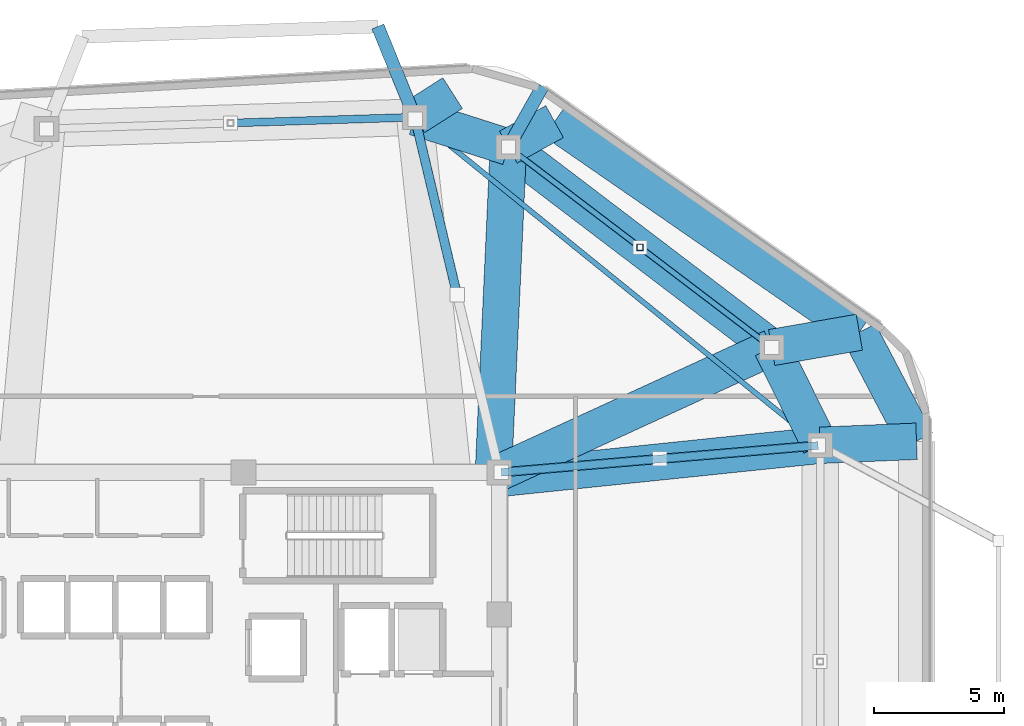
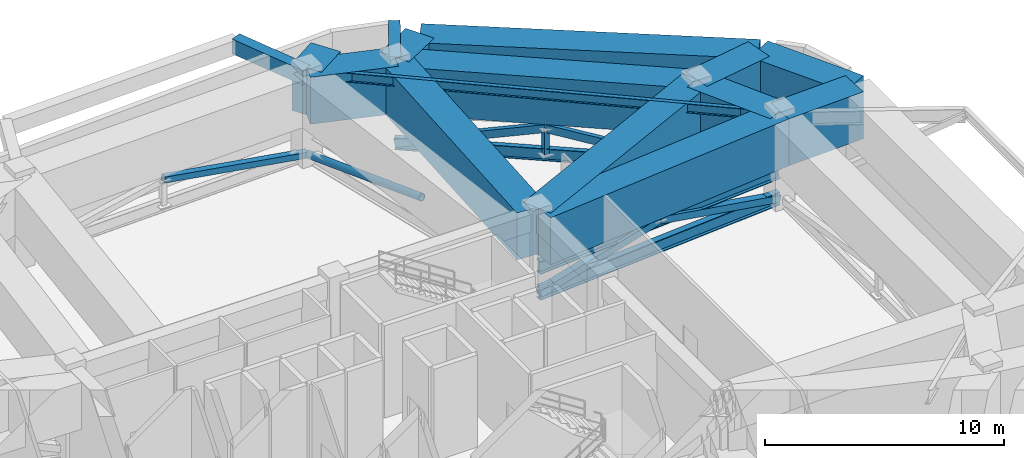
# One storey, part 6 of 13: 15 beams, 10 members.
"""IFC4 building model written with IfcOpenShell, lengths in metres."""

from ifc_helpers import new_model, si_unit, direction, frame, origin, origin_2d, place, context, subcontext, project, spatial, rectangle, hollow_rectangle, hollow_circle, i_section, extrude, material, material_profile, profile_set, type_object, element, save


model = new_model("IFC4")

# Units and contexts
model_context = context("Model", 3, precision=1e-05, world=origin(), true_north=direction((0.0, 1.0)))
body_context = subcontext(model_context, "Body", "Model", "MODEL_VIEW")
ifc_project = project(units=[si_unit("LENGTHUNIT", "METRE"), si_unit("AREAUNIT", "SQUARE_METRE"), si_unit("VOLUMEUNIT", "CUBIC_METRE"), si_unit("PLANEANGLEUNIT", "RADIAN"), si_unit("MASSUNIT", "GRAM", prefix="KILO")], contexts=[model_context])

# Site, building, storey
site_placement = place(None, origin())
site = spatial("IfcSite", under=ifc_project, at=site_placement, CompositionType="ELEMENT")
building_placement = place(site_placement, origin())
building = spatial("IfcBuilding", under=site, at=building_placement, Name="Zulverin Broadcast Headquarters", CompositionType="ELEMENT")
storey_placement = place(building_placement, frame((0.0, 0.0, 220.0)))
storey = spatial("IfcBuildingStorey", under=building, at=storey_placement, Name="L56", CompositionType="ELEMENT", Elevation=220.0)

# Beams
ifc_material_1 = material(Name="Concrete C40/50", Category="concrete")
ifc_material_profile_1 = material_profile(ifc_material_1, rectangle(XDim=0.5, YDim=0.75, at=origin_2d()), Name="Concrete C40/50", Category="concrete")
ifc_profile_set_1 = profile_set([ifc_material_profile_1], Name="Concrete C40/50")
beam_type_1 = type_object("IfcBeamType", Name="BM-RC-500x750", PredefinedType="BEAM", material=ifc_profile_set_1)
beam_1_placement = place(storey_placement, frame((48.62158203125, 45.574951171875, 4.3349609375), z_axis=(0.490737453707, 0.871307495394, 0.0), x_axis=(-0.871307495394, 0.490737453707, 0.0)))
element("IfcBeam", 1, at=beam_1_placement, inside=storey, type_object=beam_type_1, Name="L57 Plate Overhang Back-Spanned Beam OVR-08", PredefinedType="BEAM", context=body_context, shape_type="SweptSolid", body=[
    extrude(rectangle(XDim=0.5, YDim=0.75, at=origin_2d()), origin(), (0.0, 0.0, 1.0), 2.677001953125),
])
beam_2_placement = place(storey_placement, frame((45.027587890625, 46.7236328125, 4.3349609375), z_axis=(-0.37732368208, 0.926081442931, 0.0), x_axis=(-0.926081442931, -0.37732368208, 0.0)))
element("IfcBeam", 2, at=beam_2_placement, inside=storey, type_object=beam_type_1, Name="L57 Balcony Column-Framed Cantilever BAL_N-1", PredefinedType="BEAM", context=body_context, shape_type="SweptSolid", body=[
    extrude(rectangle(XDim=0.5, YDim=0.75, at=origin_2d()), origin(), (0.0, 0.0, 1.0), 3.762451171875),
])
ifc_material_2 = material(Name="Concrete C60/75", Category="concrete")
ifc_material_profile_2 = material_profile(ifc_material_2, rectangle(XDim=1.39990234375, YDim=2.39990234375, at=origin_2d()), Name="Concrete C60/75", Category="concrete")
ifc_profile_set_2 = profile_set([ifc_material_profile_2], Name="Concrete C60/75")
beam_type_2 = type_object("IfcBeamType", Name="BM-TG-1400x2400", PredefinedType="USERDEFINED", material=ifc_profile_set_2)
beam_3_placement = place(storey_placement, frame((60.60009765625, 34.12158203125, 3.510009765625), z_axis=(-0.444159471033, 0.895947746407, 0.0), x_axis=(-0.895947746407, -0.444159471033, 0.0)))
element("IfcBeam", 3, at=beam_3_placement, inside=storey, type_object=beam_type_2, Name="L56 Perimeter Transfer Ring Girder SP-06", ObjectType="TRANSFER GIRDER", PredefinedType="USERDEFINED", context=body_context, shape_type="SweptSolid", body=[
    extrude(rectangle(XDim=1.39990234375, YDim=2.39990234375, at=origin_2d()), origin(), (0.0, 0.0, 1.0), 4.1923828125),
])
beam_4_placement = place(storey_placement, frame((58.738037109375, 37.877685546875, 3.510009765625), z_axis=(-0.795830102505, 0.60551998146, 0.0), x_axis=(-0.60551998146, -0.795830102505, 0.0)))
element("IfcBeam", 4, at=beam_4_placement, inside=storey, type_object=beam_type_2, Name="L56 Perimeter Transfer Ring Girder SP-07", ObjectType="TRANSFER GIRDER", PredefinedType="USERDEFINED", context=body_context, shape_type="SweptSolid", body=[
    extrude(rectangle(XDim=1.39990234375, YDim=2.39990234375, at=origin_2d()), origin(), (0.0, 0.0, 1.0), 12.7119140625),
])
beam_5_placement = place(storey_placement, frame((48.62158203125, 45.574951171875, 3.510009765625), z_axis=(-0.952531523781, 0.304439971428, 0.0), x_axis=(-0.304439971428, -0.952531523781, 0.0)))
element("IfcBeam", 5, at=beam_5_placement, inside=storey, type_object=beam_type_2, Name="L56 Perimeter Transfer Ring Girder SP-08", ObjectType="TRANSFER GIRDER", PredefinedType="USERDEFINED", context=body_context, shape_type="SweptSolid", body=[
    extrude(rectangle(XDim=1.39990234375, YDim=2.39990234375, at=origin_2d()), origin(), (0.0, 0.0, 1.0), 3.773193359375),
])
beam_6_placement = place(storey_placement, frame((48.324951171875, 32.85009765625, 3.510009765625), z_axis=(0.994678169641, 0.103030766473, 0.0), x_axis=(-0.103030766473, 0.994678169641, 0.0)))
element("IfcBeam", 6, at=beam_6_placement, inside=storey, type_object=beam_type_2, Name="L57 Inner Transfer Back-Span Girder TGI-06", ObjectType="TRANSFER GIRDER", PredefinedType="USERDEFINED", context=body_context, shape_type="SweptSolid", body=[
    extrude(rectangle(XDim=1.39990234375, YDim=2.39990234375, at=origin_2d()), origin(), (0.0, 0.0, 1.0), 12.3408203125),
])
beam_7_placement = place(storey_placement, frame((60.60009765625, 34.12158203125, 3.510009765625), z_axis=(0.999134329491, 0.041600380199, 0.0), x_axis=(-0.041600380199, 0.999134329491, 0.0)))
element("IfcBeam", 7, at=beam_7_placement, inside=storey, type_object=beam_type_2, Name="L57 Column-Framed Step Cantilever Girder TGO-06", ObjectType="TRANSFER GIRDER", PredefinedType="USERDEFINED", context=body_context, shape_type="SweptSolid", body=[
    extrude(rectangle(XDim=1.39990234375, YDim=2.39990234375, at=origin_2d()), origin(), (0.0, 0.0, 1.0), 3.703125),
])
beam_8_placement = place(storey_placement, frame((64.300048828125, 34.275634765625, 3.510009765625), z_axis=(-0.464469748171, 0.885588986513, 0.0), x_axis=(-0.885588986513, -0.464469748171, 0.0)))
element("IfcBeam", 8, at=beam_8_placement, inside=storey, type_object=beam_type_2, Name="L57 Step Transfer Ring Girder TGR-06", ObjectType="TRANSFER GIRDER", PredefinedType="USERDEFINED", context=body_context, shape_type="SweptSolid", body=[
    extrude(rectangle(XDim=1.39990234375, YDim=2.39990234375, at=origin_2d()), origin(), (0.0, 0.0, 1.0), 4.730712890625),
])
beam_9_placement = place(storey_placement, frame((48.27490234375, 33.074951171875, 3.510009765625), z_axis=(0.90883007293, 0.417166511764, 0.0), x_axis=(-0.417166511764, 0.90883007293, 0.0)))
element("IfcBeam", 9, at=beam_9_placement, inside=storey, type_object=beam_type_2, Name="L57 Inner Transfer Back-Span Girder TGI-07", ObjectType="TRANSFER GIRDER", PredefinedType="USERDEFINED", context=body_context, shape_type="SweptSolid", body=[
    extrude(rectangle(XDim=1.39990234375, YDim=2.39990234375, at=origin_2d()), origin(), (0.0, 0.0, 1.0), 11.5126953125),
])
beam_10_placement = place(storey_placement, frame((58.738037109375, 37.877685546875, 3.510009765625), z_axis=(0.985101384186, 0.171974599503, 0.0), x_axis=(-0.171974599503, 0.985101384186, 0.0)))
element("IfcBeam", 10, at=beam_10_placement, inside=storey, type_object=beam_type_2, Name="L57 Column-Framed Step Cantilever Girder TGO-07", ObjectType="TRANSFER GIRDER", PredefinedType="USERDEFINED", context=body_context, shape_type="SweptSolid", body=[
    extrude(rectangle(XDim=1.39990234375, YDim=2.39990234375, at=origin_2d()), origin(), (0.0, 0.0, 1.0), 3.41552734375),
])
beam_11_placement = place(storey_placement, frame((62.102783203125, 38.465087890625, 3.510009765625), z_axis=(-0.822652126292, 0.568545054597, 0.0), x_axis=(-0.568545054597, -0.822652126292, 0.0)))
element("IfcBeam", 11, at=beam_11_placement, inside=storey, type_object=beam_type_2, Name="L57 Step Transfer Ring Girder TGR-07", ObjectType="TRANSFER GIRDER", PredefinedType="USERDEFINED", context=body_context, shape_type="SweptSolid", body=[
    extrude(rectangle(XDim=1.39990234375, YDim=2.39990234375, at=origin_2d()), origin(), (0.0, 0.0, 1.0), 14.228271484375),
])
beam_12_placement = place(storey_placement, frame((48.050048828125, 33.125, 3.510009765625), z_axis=(0.045858166026, 0.998947960911, 0.0), x_axis=(-0.998947960911, 0.045858166026, 0.0)))
element("IfcBeam", 12, at=beam_12_placement, inside=storey, type_object=beam_type_2, Name="L57 Inner Transfer Back-Span Girder TGI-08", ObjectType="TRANSFER GIRDER", PredefinedType="USERDEFINED", context=body_context, shape_type="SweptSolid", body=[
    extrude(rectangle(XDim=1.39990234375, YDim=2.39990234375, at=origin_2d()), origin(), (0.0, 0.0, 1.0), 12.463134765625),
])
beam_13_placement = place(storey_placement, frame((48.62158203125, 45.574951171875, 3.510009765625), z_axis=(0.875697024069, 0.482860975889, 0.0), x_axis=(-0.482860975889, 0.875697024069, 0.0)))
element("IfcBeam", 13, at=beam_13_placement, inside=storey, type_object=beam_type_2, Name="L57 Column-Framed Step Cantilever Girder TGO-08", ObjectType="TRANSFER GIRDER", PredefinedType="USERDEFINED", context=body_context, shape_type="SweptSolid", body=[
    extrude(rectangle(XDim=1.39990234375, YDim=2.39990234375, at=origin_2d()), origin(), (0.0, 0.0, 1.0), 2.028564453125),
])
beam_14_placement = place(storey_placement, frame((45.027587890625, 46.7236328125, 3.510009765625), z_axis=(0.843760655948, 0.53671962464, 0.0), x_axis=(-0.53671962464, 0.843760655948, 0.0)))
element("IfcBeam", 14, at=beam_14_placement, inside=storey, type_object=beam_type_2, Name="L57 Column-Framed Step Cantilever Girder TGO-09", ObjectType="TRANSFER GIRDER", PredefinedType="USERDEFINED", context=body_context, shape_type="SweptSolid", body=[
    extrude(rectangle(XDim=1.39990234375, YDim=2.39990234375, at=origin_2d()), origin(), (0.0, 0.0, 1.0), 1.72314453125),
])
ifc_material_3 = material(Name="Structural steel S355JR", Category="steel")
ifc_material_profile_3 = material_profile(ifc_material_3, i_section(OverallWidth=0.19287109375, OverallDepth=0.46728515625, WebThickness=0.011474609375, FlangeThickness=0.01953125, at=origin_2d()), Name="Structural steel S355JR", Category="steel")
ifc_profile_set_3 = profile_set([ifc_material_profile_3], Name="Structural steel S355JR")
beam_type_3 = type_object("IfcBeamType", Name="BM-UB-457", PredefinedType="JOIST", material=ifc_profile_set_3)
beam_15_placement = place(storey_placement, frame((60.60009765625, 34.12158203125, 4.476318359375), z_axis=(-0.777349017335, 0.629069555175, 0.0), x_axis=(-0.629069555175, -0.777349017335, 0.0)))
element("IfcBeam", 15, at=beam_15_placement, inside=storey, type_object=beam_type_3, Name="L56 Chordal Floor Joist J-02", PredefinedType="JOIST", context=body_context, shape_type="SweptSolid", body=[
    extrude(i_section(OverallWidth=0.19287109375, OverallDepth=0.46728515625, WebThickness=0.011474609375, FlangeThickness=0.01953125, at=origin_2d()), origin(), (0.0, 0.0, 1.0), 20.032958984375),
])

# Members
ifc_material_profile_4 = material_profile(ifc_material_3, i_section(OverallWidth=0.230224609375, OverallDepth=0.6171875, WebThickness=0.01318359375, FlangeThickness=0.022216796875, at=origin_2d()), Name="Structural steel S355JR", Category="steel")
ifc_profile_set_4 = profile_set([ifc_material_profile_4], Name="Structural steel S355JR")
member_type_1 = type_object("IfcMemberType", Name="MBR-BLT-CHORD", PredefinedType="CHORD", material=ifc_profile_set_4)
member_1_placement = place(storey_placement, frame((58.738037109375, 37.877685546875, 0.35009765625), z_axis=(-0.795830102505, 0.60551998146, 0.0), x_axis=(-0.60551998146, -0.795830102505, 0.0)))
element("IfcMember", 16, at=member_1_placement, inside=storey, type_object=member_type_1, Name="L56 Belt Truss Bottom Chord BC-04", PredefinedType="CHORD", context=body_context, shape_type="SweptSolid", body=[
    extrude(i_section(OverallWidth=0.230224609375, OverallDepth=0.6171875, WebThickness=0.01318359375, FlangeThickness=0.022216796875, at=origin_2d()), origin(), (0.0, 0.0, 1.0), 12.7119140625),
])
ifc_material_profile_5 = material_profile(ifc_material_3, hollow_rectangle(XDim=0.300048828125, YDim=0.300048828125, WallThickness=0.01611328125, at=origin_2d()), Name="Structural steel S355JR", Category="steel")
ifc_profile_set_5 = profile_set([ifc_material_profile_5], Name="Structural steel S355JR")
member_type_2 = type_object("IfcMemberType", Name="MBR-BLT-DIAG1", PredefinedType="BRACE", material=ifc_profile_set_5)
member_2_placement = place(storey_placement, frame((45.027587890625, 46.7236328125, 0.35009765625), z_axis=(-0.982301862555, -0.031161042861, 0.184694450995), x_axis=(0.031706522156, -0.999497221833, 0.0)))
element("IfcMember", 17, at=member_2_placement, inside=storey, type_object=member_type_2, Name="L56 Belt Truss Diagonal Brace BD-05A", PredefinedType="BRACE", context=body_context, shape_type="SweptSolid", body=[
    extrude(hollow_rectangle(XDim=0.300048828125, YDim=0.300048828125, WallThickness=0.01611328125, at=origin_2d()), origin(), (0.0, 0.0, 1.0), 7.2001953125),
])
ifc_material_profile_6 = material_profile(ifc_material_3, hollow_rectangle(XDim=0.199951171875, YDim=0.39990234375, WallThickness=0.01611328125, at=origin_2d()), Name="Structural steel S355JR", Category="steel")
ifc_profile_set_6 = profile_set([ifc_material_profile_6], Name="Structural steel S355JR")
member_type_3 = type_object("IfcMemberType", Name="MBR-BLT-DIAG2", PredefinedType="BRACE", material=ifc_profile_set_6)
member_3_placement = place(storey_placement, frame((58.738037109375, 37.877685546875, 0.35009765625), z_axis=(-0.778970071097, 0.592677455513, 0.204790288009), x_axis=(-0.605510726465, -0.79583714423, 0.0)))
element("IfcMember", 18, at=member_3_placement, inside=storey, type_object=member_type_3, Name="L56 Belt Truss Diagonal Brace BD-04A", PredefinedType="BRACE", context=body_context, shape_type="SweptSolid", body=[
    extrude(hollow_rectangle(XDim=0.199951171875, YDim=0.39990234375, WallThickness=0.01611328125, at=origin_2d()), origin(), (0.0, 0.0, 1.0), 6.49365234375),
])
member_4_placement = place(storey_placement, frame((48.62158203125, 45.574951171875, 0.35009765625), z_axis=(0.778955287136, -0.592694813516, 0.204796285792), x_axis=(0.605529236656, 0.795823060457, 0.0)))
element("IfcMember", 19, at=member_4_placement, inside=storey, type_object=member_type_3, Name="L56 Belt Truss Diagonal Brace BD-04B", PredefinedType="BRACE", context=body_context, shape_type="SweptSolid", body=[
    extrude(hollow_rectangle(XDim=0.199951171875, YDim=0.39990234375, WallThickness=0.01611328125, at=origin_2d()), origin(), (0.0, 0.0, 1.0), 6.493408203125),
])
ifc_material_profile_7 = material_profile(ifc_material_3, hollow_rectangle(XDim=0.25, YDim=0.25, WallThickness=0.01611328125, at=origin_2d()), Name="Structural steel S355JR", Category="steel")
ifc_profile_set_7 = profile_set([ifc_material_profile_7], Name="Structural steel S355JR")
member_type_4 = type_object("IfcMemberType", Name="MBR-BLT-POST", PredefinedType="POST", material=ifc_profile_set_7)
member_5_placement = place(storey_placement, frame((53.6796875, 41.726318359375, 0.35009765625), z_axis=(0.0, 0.0, 1.0), x_axis=(1.0, 0.0, 0.0)))
element("IfcMember", 20, at=member_5_placement, inside=storey, type_object=member_type_4, Name="L56 Belt Truss King Post BP-04", PredefinedType="POST", context=body_context, shape_type="SweptSolid", body=[
    extrude(hollow_rectangle(XDim=0.25, YDim=0.25, WallThickness=0.01611328125, at=origin_2d()), origin(), (0.0, 0.0, 1.0), 1.329833984375),
])
ifc_material_4 = material(Name="Structural steel S460M", Category="steel")
ifc_material_profile_8 = material_profile(ifc_material_4, i_section(OverallWidth=0.300048828125, OverallDepth=0.64990234375, WebThickness=0.01611328125, FlangeThickness=0.031005859375, at=origin_2d()), Name="Structural steel S460M", Category="steel")
ifc_profile_set_8 = profile_set([ifc_material_profile_8], Name="Structural steel S460M")
member_type_5 = type_object("IfcMemberType", Name="MBR-OUT-CHORD", PredefinedType="CHORD", material=ifc_profile_set_8)
for number, where, z_axis, x_axis, name in (
    (21, (48.354736328125, 33.081787109375, 0.35009765625), (0.996414632108, 0.084604260655, 0.0), (-0.084604260655, 0.996414632108, 0.0), "L56 Outrigger Truss Bottom Chord OC-03"),
    (22, (48.354736328125, 33.081787109375, 1.679931640625), (0.996414632108, 0.084604260655, 0.0), (-0.084604260655, 0.996414632108, 0.0), "L56 Outrigger Truss Upper Chord OTC-03"),
):
    element("IfcMember", number, at=place(storey_placement, frame(where, z_axis=z_axis, x_axis=x_axis)), inside=storey, type_object=member_type_5, Name=name, PredefinedType="CHORD", context=body_context, shape_type="SweptSolid", body=[
        extrude(i_section(OverallWidth=0.300048828125, OverallDepth=0.64990234375, WebThickness=0.01611328125, FlangeThickness=0.031005859375, at=origin_2d()), origin(), (0.0, 0.0, 1.0), 12.209228515625),
    ])
ifc_material_profile_9 = material_profile(ifc_material_4, hollow_rectangle(XDim=0.35009765625, YDim=0.35009765625, WallThickness=0.02001953125, at=origin_2d()), Name="Structural steel S460M", Category="steel")
ifc_profile_set_9 = profile_set([ifc_material_profile_9], Name="Structural steel S460M")
member_type_6 = type_object("IfcMemberType", Name="MBR-OUT-DIAG1", PredefinedType="BRACE", material=ifc_profile_set_9)
for number, where, z_axis, x_axis, name in (
    (23, (48.354736328125, 33.081787109375, 0.35009765625), (0.973580591417, 0.082684990224, 0.212847420488), (-0.084624113754, 0.996412946208, 0.0), "L56 Outrigger Truss Diagonal Brace OD-03A"),
    (24, (60.520263671875, 34.11474609375, 0.35009765625), (-0.973583736333, -0.08264618111, 0.21284810804), (0.084584407456, -0.996416317618, 0.0), "L56 Outrigger Truss Diagonal Brace OD-03B"),
):
    element("IfcMember", number, at=place(storey_placement, frame(where, z_axis=z_axis, x_axis=x_axis)), inside=storey, type_object=member_type_6, Name=name, PredefinedType="BRACE", context=body_context, shape_type="SweptSolid", body=[
        extrude(hollow_rectangle(XDim=0.35009765625, YDim=0.35009765625, WallThickness=0.02001953125, at=origin_2d()), origin(), (0.0, 0.0, 1.0), 6.247802734375),
    ])
ifc_material_profile_10 = material_profile(ifc_material_4, hollow_circle(Radius=0.177734375, WallThickness=0.01611328125, at=origin_2d()), Name="Structural steel S460M", Category="steel")
ifc_profile_set_10 = profile_set([ifc_material_profile_10], Name="Structural steel S460M")
member_type_7 = type_object("IfcMemberType", Name="MBR-OUT-DIAG2", PredefinedType="BRACE", material=ifc_profile_set_10)
member_6_placement = place(storey_placement, frame((45.0458984375, 46.645751953125, 0.35009765625), z_axis=(0.22736823952, -0.955423747363, 0.18833254268), x_axis=(0.972832272649, 0.231511056524, 0.0)))
element("IfcMember", 25, at=member_6_placement, inside=storey, type_object=member_type_7, Name="L56 Outrigger Truss Diagonal Brace OD-04B", PredefinedType="BRACE", context=body_context, shape_type="SweptSolid", body=[
    extrude(hollow_circle(Radius=0.177734375, WallThickness=0.01611328125, at=origin_2d()), origin(), (0.0, 0.0, 1.0), 7.06103515625),
])

save(model, "model.ifc")
